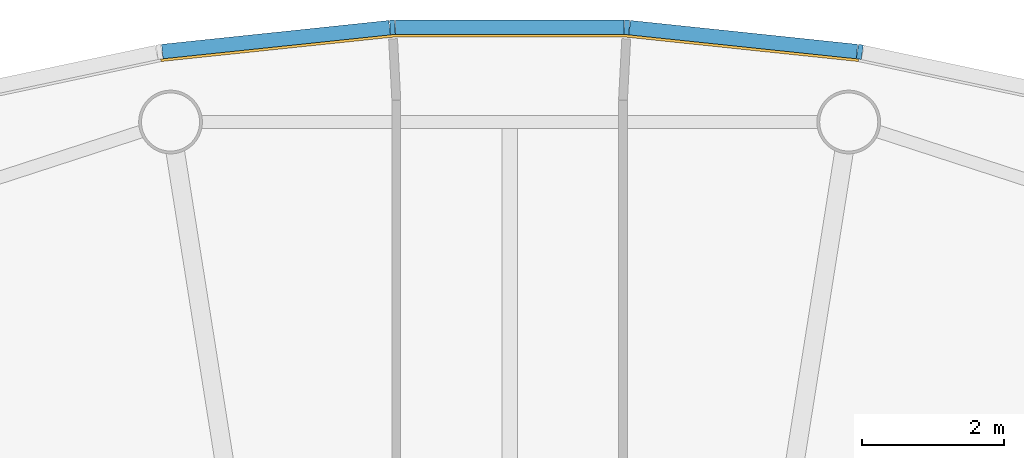
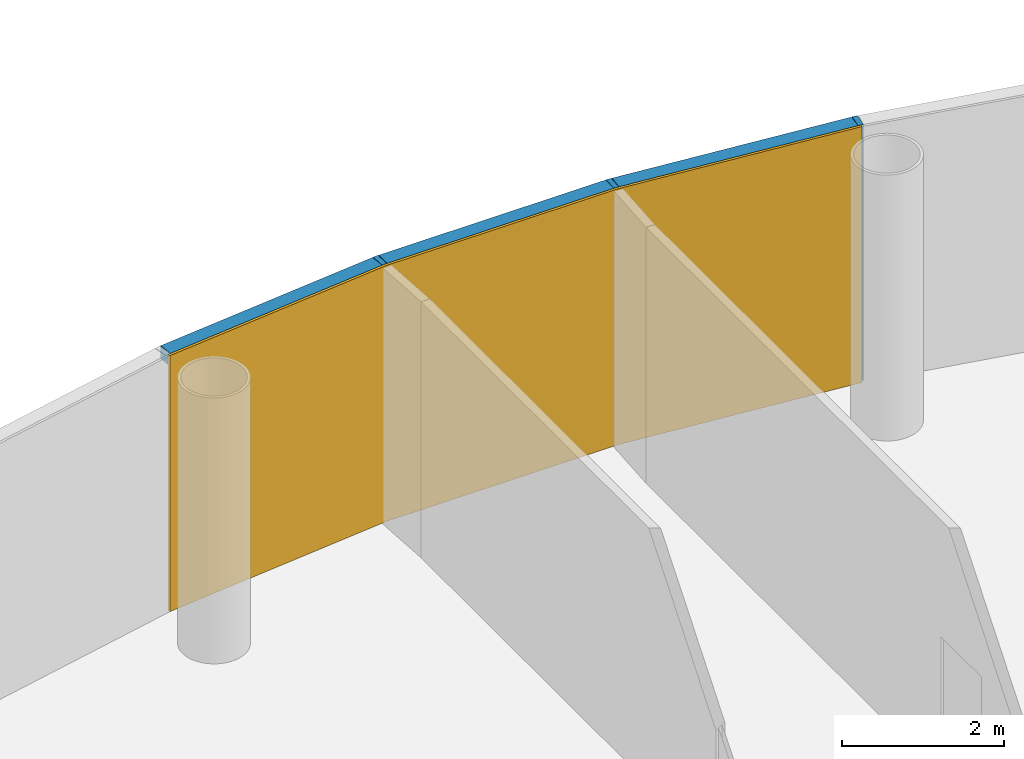
# One storey, part 11 of 13: 6 members, 1 curtain wall.
"""IFC4 building model written with IfcOpenShell, lengths in metres."""

import ifcopenshell
import ifcopenshell.guid

model = None  # the IFC model being written
_history = None  # IfcOwnerHistory: only IFC2X3 demands one
_inside = {}  # id of a spatial element -> (the spatial element, [elements in it])
_under = {}  # id of a project, library or spatial element -> (it, [spatial elements below it])
_declared = {}  # id of a project -> (the project, [libraries it declares])
_typed = {}  # id of a type object -> (the type object, [elements of that type])
_made_of = {}  # id of a material, layer set ... -> (it, [elements and type objects made of it])


def new_model(schema):
    """Start an empty IFC model of exactly this schema.

    Asked for "IFC4X3", IfcOpenShell would pick the latest addendum, in which some entities
    have other attributes; the version numbers below select the first issue.
    IFC2X3 requires an IfcOwnerHistory on every rooted entity: one is made here for all.
    """
    global model, _history
    if schema == "IFC4X3":
        model = ifcopenshell.file(schema_version=(4, 3, 0, 0))
    else:
        model = ifcopenshell.file(schema=schema)
    _inside.clear()
    _under.clear()
    _declared.clear()
    _typed.clear()
    _made_of.clear()
    _history = None
    if model.schema == "IFC2X3":
        org = make("IfcOrganization", Name="unknown")
        user = make(
            "IfcPersonAndOrganization",
            ThePerson=make("IfcPerson", FamilyName="unknown"),
            TheOrganization=org,
        )
        app = make(
            "IfcApplication",
            ApplicationDeveloper=org,
            Version="unknown",
            ApplicationFullName="unknown",
            ApplicationIdentifier="unknown",
        )
        _history = make(
            "IfcOwnerHistory",
            OwningUser=user,
            OwningApplication=app,
            ChangeAction="ADDED",
            CreationDate=0,
        )
    return model


def make(cls, **values):
    """One entity of the class cls with the attributes given. An attribute that is None is left unset."""
    return model.create_entity(
        cls, **{name: value for name, value in values.items() if value is not None}
    )


def rooted(cls, **values):
    """An entity with a GlobalId (a new one), such as an element, a storey or a relation."""
    return make(cls, GlobalId=ifcopenshell.guid.new(), OwnerHistory=_history, **values)


def si_unit(unit_type, name, prefix=None):
    """IfcSIUnit, for example si_unit("LENGTHUNIT", "METRE", prefix="MILLI")."""
    return make("IfcSIUnit", UnitType=unit_type, Prefix=prefix, Name=name)


def assignment(units):
    """IfcUnitAssignment: the units of a project."""
    return None if units is None else make("IfcUnitAssignment", Units=units)


def point(xyz):
    """IfcCartesianPoint."""
    return None if xyz is None else make("IfcCartesianPoint", Coordinates=xyz)


def direction(xyz):
    """IfcDirection."""
    return None if xyz is None else make("IfcDirection", DirectionRatios=xyz)


def frame(location, z_axis=None, x_axis=None):
    """IfcAxis2Placement3D, a coordinate frame: its origin and axes. An axis left out is left unset."""
    return make(
        "IfcAxis2Placement3D",
        Location=point(location),
        Axis=direction(z_axis),
        RefDirection=direction(x_axis),
    )


def frame_2d(location, x_axis=None):
    """IfcAxis2Placement2D, a coordinate frame in the plane: its origin and x axis."""
    return make(
        "IfcAxis2Placement2D", Location=point(location), RefDirection=direction(x_axis)
    )


def origin():
    """The frame at (0, 0, 0) with its axes left unset."""
    return frame((0.0, 0.0, 0.0))


def origin_2d():
    """The frame at (0, 0) in the plane with its x axis left unset."""
    return frame_2d((0.0, 0.0))


def place(relative_to, where):
    """IfcLocalPlacement: puts the frame where relative to a parent placement (None: the world)."""
    return make(
        "IfcLocalPlacement", PlacementRelTo=relative_to, RelativePlacement=where
    )


def context(
    kind, dimensions, precision=None, world=None, true_north=None, identifier=None
):
    """IfcGeometricRepresentationContext, for example the 3D "Model" context."""
    return make(
        "IfcGeometricRepresentationContext",
        ContextIdentifier=identifier,
        ContextType=kind,
        CoordinateSpaceDimension=dimensions,
        Precision=precision,
        WorldCoordinateSystem=world,
        TrueNorth=true_north,
    )


def subcontext(parent, identifier, kind, view, scale=None):
    """IfcGeometricRepresentationSubContext, for example "Body" below "Model"."""
    return make(
        "IfcGeometricRepresentationSubContext",
        ContextIdentifier=identifier,
        ContextType=kind,
        ParentContext=parent,
        TargetScale=scale,
        TargetView=view,
    )


def project(units=None, contexts=None):
    """IfcProject with its units and contexts."""
    return rooted(
        "IfcProject",
        Name="project",
        RepresentationContexts=contexts,
        UnitsInContext=assignment(units),
    )


def spatial(cls, under=None, at=None, **own):
    """A site, building, storey or space (cls), placed at a placement, below another one or the project."""
    s = rooted(cls, ObjectPlacement=at, **own)
    if under is not None:
        _under.setdefault(under.id(), (under, []))[1].append(s)
    return s


def polyline(points):
    """IfcPolyline through the points."""
    return make("IfcPolyline", Points=[point(p) for p in points])


def profile(cls, at=None, kind="AREA", **sizes):
    """A parametric profile (cls). Its sizes go by their IFC names, for example OverallWidth=200.0."""
    return make(cls, ProfileType=kind, Position=at, **sizes)


def rectangle(**sizes):
    """IfcRectangleProfileDef."""
    return profile("IfcRectangleProfileDef", **sizes)


def outline(outer, holes=None, kind="AREA"):
    """IfcArbitraryClosedProfileDef: a profile drawn as a closed curve; with holes, ...WithVoids."""
    if holes is None:
        return make("IfcArbitraryClosedProfileDef", ProfileType=kind, OuterCurve=outer)
    return make(
        "IfcArbitraryProfileDefWithVoids",
        ProfileType=kind,
        OuterCurve=outer,
        InnerCurves=holes,
    )


def extrude(swept, where, along, depth):
    """IfcExtrudedAreaSolid: the profile swept, set in the frame where, extruded along a direction by depth."""
    return make(
        "IfcExtrudedAreaSolid",
        SweptArea=swept,
        Position=where,
        ExtrudedDirection=direction(along),
        Depth=depth,
    )


def shape(context_of_items, identifier, shape_type, items):
    """IfcShapeRepresentation: the items that make up one representation, for example the "Body"."""
    return make(
        "IfcShapeRepresentation",
        ContextOfItems=context_of_items,
        RepresentationIdentifier=identifier,
        RepresentationType=shape_type,
        Items=items,
    )


def material(Name=None, Category=None):
    """IfcMaterial."""
    return make("IfcMaterial", Name=Name, Category=Category)


def layer(
    of_material, thickness, ventilated=None, Name=None, Category=None, Priority=None
):
    """IfcMaterialLayer: one layer of a wall or slab, of a material (None: an air gap)."""
    return make(
        "IfcMaterialLayer",
        Material=of_material,
        LayerThickness=thickness,
        IsVentilated=ventilated,
        Name=Name,
        Category=Category,
        Priority=Priority,
    )


def layer_set(layers, Name=None):
    """IfcMaterialLayerSet."""
    return make("IfcMaterialLayerSet", MaterialLayers=layers, LayerSetName=Name)


def material_profile(
    of_material, cross_section, Name=None, Category=None, Priority=None
):
    """IfcMaterialProfile: a cross section and its material."""
    return make(
        "IfcMaterialProfile",
        Name=Name,
        Material=of_material,
        Profile=cross_section,
        Priority=Priority,
        Category=Category,
    )


def profile_set(profiles, Name=None, composite=None):
    """IfcMaterialProfileSet."""
    return make(
        "IfcMaterialProfileSet",
        Name=Name,
        MaterialProfiles=profiles,
        CompositeProfile=composite,
    )


def made_of(thing, what):
    """Note that an element or type object is made of a material, layer set ...; save() writes the relation."""
    if what is not None:
        _made_of.setdefault(what.id(), (what, []))[1].append(thing)
    return thing


def type_object(cls, material=None, **own):
    """A type object (cls), such as IfcWallType, which elements share."""
    return made_of(rooted(cls, **own), material)


def element(
    cls,
    number,
    at=None,
    inside=None,
    cuts=None,
    type_object=None,
    material=None,
    context=None,
    identifier="Body",
    shape_type=None,
    held_by="IfcProductDefinitionShape",
    body=None,
    shapes=None,
    **own,
):
    """One element of the class cls, such as IfcWall. Its Tag is "e" and its number.

    at: its placement. inside: the storey or other place that contains it. cuts: it is an
    opening in that element (IfcRelVoidsElement). A single representation is given by context,
    identifier, shape_type and body (its items); several are given by shapes. held_by: the class
    of the entity that holds the representations. save() writes the other relations.
    """
    e = rooted(cls, Tag="e%d" % number, ObjectPlacement=at, **own)
    if body is not None:
        shapes = [shape(context, identifier, shape_type, body)]
    if shapes is not None:
        e.Representation = make(held_by, Representations=shapes)
    if inside is not None:
        _inside.setdefault(inside.id(), (inside, []))[1].append(e)
    if cuts is not None:
        rooted(
            "IfcRelVoidsElement", RelatingBuildingElement=cuts, RelatedOpeningElement=e
        )
    if type_object is not None:
        _typed.setdefault(type_object.id(), (type_object, []))[1].append(e)
    return made_of(e, material)


def aggregate(whole, parts):
    """IfcRelAggregates: a whole, such as a stair, and the parts it consists of."""
    return rooted("IfcRelAggregates", RelatingObject=whole, RelatedObjects=parts)


def save(model, path):
    """Write the relations noted so far, then the file.

    IfcRelAggregates (storeys below a building ...), IfcRelContainedInSpatialStructure (elements
    in a storey), IfcRelDefinesByType, IfcRelAssociatesMaterial and IfcRelDeclares: one each for
    every whole, place, type object, material and project.
    """
    for whole, parts in _under.values():
        aggregate(whole, parts)
    for where, things in _inside.values():
        rooted(
            "IfcRelContainedInSpatialStructure",
            RelatedElements=things,
            RelatingStructure=where,
        )
    for kind, things in _typed.values():
        rooted("IfcRelDefinesByType", RelatedObjects=things, RelatingType=kind)
    for what, things in _made_of.values():
        rooted("IfcRelAssociatesMaterial", RelatedObjects=things, RelatingMaterial=what)
    for by, libraries in _declared.values():
        rooted("IfcRelDeclares", RelatingContext=by, RelatedDefinitions=libraries)
    model.write(path)


model = new_model("IFC4")

# Units and contexts
model_context = context("Model", 3, precision=1e-05, world=origin(), true_north=direction((0.0, 1.0)))
body_context = subcontext(model_context, "Body", "Model", "MODEL_VIEW")
ifc_project = project(units=[si_unit("LENGTHUNIT", "METRE"), si_unit("AREAUNIT", "SQUARE_METRE"), si_unit("VOLUMEUNIT", "CUBIC_METRE"), si_unit("PLANEANGLEUNIT", "RADIAN"), si_unit("MASSUNIT", "GRAM", prefix="KILO")], contexts=[model_context])

# Member
ifc_material_1 = material(Name="Anodised aluminium", Category="aluminium")
ifc_material_profile_1 = material_profile(ifc_material_1, rectangle(XDim=0.070068359375, YDim=0.205078125, at=origin_2d()), Name="Mullion 70 x 205 mm anodised aluminium")
ifc_profile_set_1 = profile_set([ifc_material_profile_1], Name="Anodised aluminium")
member_type_1 = type_object("IfcMemberType", Name="Mullion 70 x 205 mm anodised aluminium", PredefinedType="MULLION", material=ifc_profile_set_1)
site_placement = place(None, origin())
building_placement = place(site_placement, origin())
storey_placement = place(building_placement, frame((0.0, 0.0, 344.0)))
member_1_placement = place(storey_placement, frame((94.943603515625, 111.21337890625, 0.0), z_axis=(0.0, 0.0, 1.0), x_axis=(-0.987688340595, 0.15643446504, 0.0)))
member_1 = element("IfcMember", 1, at=member_1_placement, type_object=member_type_1, Name="MULLION L79-12", PredefinedType="MULLION", context=body_context, shape_type="SweptSolid", body=[
    extrude(rectangle(XDim=0.070068359375, YDim=0.205078125, at=origin_2d()), origin(), (0.0, 0.0, 1.0), 3.85009765625),
])

member_2_placement = place(storey_placement, frame((91.654052734375, 111.55908203125, 0.0), z_axis=(0.0, 0.0, 1.0), x_axis=(-0.998629534755, 0.052335956243, 0.0)))
member_2 = element("IfcMember", 2, at=member_2_placement, type_object=member_type_1, Name="MULLION L79-13", PredefinedType="MULLION", context=body_context, shape_type="SweptSolid", body=[
    extrude(rectangle(XDim=0.070068359375, YDim=0.205078125, at=origin_2d()), origin(), (0.0, 0.0, 1.0), 3.85009765625),
])

member_3_placement = place(storey_placement, frame((88.345947265625, 111.55908203125, 0.0), z_axis=(0.0, 0.0, 1.0), x_axis=(-0.998629534755, -0.052335956243, 0.0)))
member_3 = element("IfcMember", 3, at=member_3_placement, type_object=member_type_1, Name="MULLION L79-14", PredefinedType="MULLION", context=body_context, shape_type="SweptSolid", body=[
    extrude(rectangle(XDim=0.070068359375, YDim=0.205078125, at=origin_2d()), origin(), (0.0, 0.0, 1.0), 3.85009765625),
])

ifc_material_2 = material(Name="Anodised aluminium", Category="aluminium")
ifc_material_profile_2 = material_profile(ifc_material_2, rectangle(XDim=0.205078125, YDim=0.195068359375, at=origin_2d()), Name="Transom 195 x 205 mm anodised aluminium")
ifc_profile_set_2 = profile_set([ifc_material_profile_2], Name="Anodised aluminium")
member_type_2 = type_object("IfcMemberType", Name="Transom 195 x 205 mm anodised aluminium", PredefinedType="USERDEFINED", material=ifc_profile_set_2)
member_4_placement = place(storey_placement, frame((94.903564453125, 111.2177734375, 3.75244140625), z_axis=(-0.994519537956, 0.104550890115, 0.0), x_axis=(-0.104550890115, -0.994519537956, 0.0)))
member_4 = element("IfcMember", 4, at=member_4_placement, type_object=member_type_2, Name="TRANSOM L79-12", ObjectType="TRANSOM", PredefinedType="USERDEFINED", context=body_context, shape_type="SweptSolid", body=[
    extrude(rectangle(XDim=0.205078125, YDim=0.195068359375, at=origin_2d()), origin(), (0.0, 0.0, 1.0), 3.22705078125),
])

member_5_placement = place(storey_placement, frame((91.613525390625, 111.559326171875, 3.75244140625), z_axis=(-1.0, 0.0, 0.0), x_axis=(0.0, -1.0, 0.0)))
member_5 = element("IfcMember", 5, at=member_5_placement, type_object=member_type_2, Name="TRANSOM L79-13", ObjectType="TRANSOM", PredefinedType="USERDEFINED", context=body_context, shape_type="SweptSolid", body=[
    extrude(rectangle(XDim=0.205078125, YDim=0.195068359375, at=origin_2d()), origin(), (0.0, 0.0, 1.0), 3.22705078125),
])

member_6_placement = place(storey_placement, frame((88.305908203125, 111.55517578125, 3.75244140625), z_axis=(-0.994519537956, -0.104550890115, 0.0), x_axis=(0.104550890115, -0.994519537956, 0.0)))
member_6 = element("IfcMember", 6, at=member_6_placement, type_object=member_type_2, Name="TRANSOM L79-14", ObjectType="TRANSOM", PredefinedType="USERDEFINED", context=body_context, shape_type="SweptSolid", body=[
    extrude(rectangle(XDim=0.205078125, YDim=0.195068359375, at=origin_2d()), origin(), (0.0, 0.0, 1.0), 3.22705078125),
])

# Site, building, storey
site = spatial("IfcSite", under=ifc_project, at=site_placement, CompositionType="ELEMENT")
building = spatial("IfcBuilding", under=site, at=building_placement, Name="Entoto Ring Tower", CompositionType="ELEMENT")
storey = spatial("IfcBuildingStorey", under=building, at=storey_placement, Name="L79", CompositionType="ELEMENT", Elevation=344.0)

# Curtain wall
ifc_material_3 = material(Name="Clear low-iron glass", Category="glass")
ifc_layer = layer(ifc_material_3, 0.035888671875)
ifc_layer_set = layer_set([ifc_layer], Name="Clear low-iron glass")
curtain_wall_type = type_object("IfcCurtainWallType", Name="Curtain wall system CW6 glazing 36 mm", PredefinedType="NOTDEFINED", material=ifc_layer_set)
curtain_wall_placement = place(storey_placement, origin())
curtain_wall = element("IfcCurtainWall", 7, at=curtain_wall_placement, inside=storey, type_object=curtain_wall_type, Name="CW6 L79-05", PredefinedType="NOTDEFINED", context=body_context, shape_type="SweptSolid", body=[
    extrude(outline(polyline([(94.927734375, 111.1123046875), (91.648681640625, 111.456787109375), (88.351318359375, 111.456787109375), (85.072265625, 111.1123046875), (85.077880859375, 111.07666015625), (88.353271484375, 111.4208984375), (91.646728515625, 111.4208984375), (94.922119140625, 111.07666015625), (94.927734375, 111.1123046875)])), origin(), (0.0, 0.0, 1.0), 3.85009765625),
])

aggregate(curtain_wall, [member_1, member_2, member_3, member_4, member_5, member_6])

save(model, "model.ifc")
